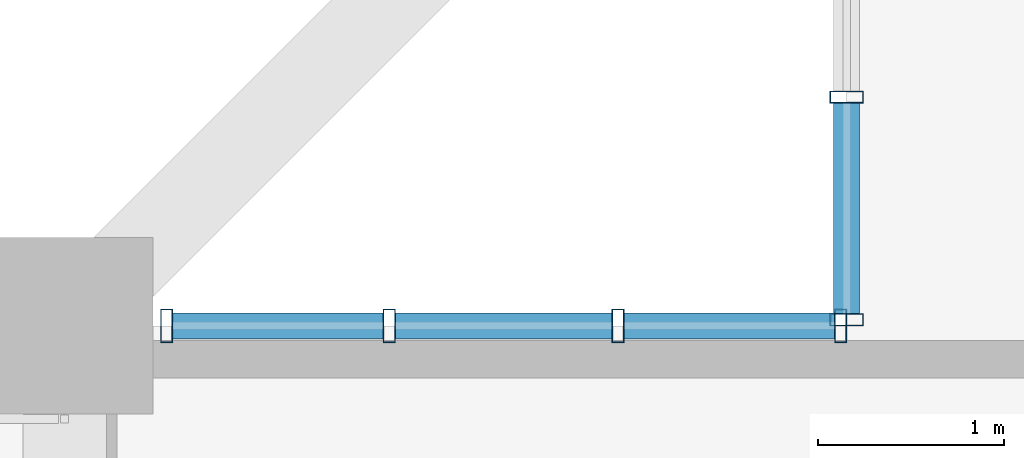
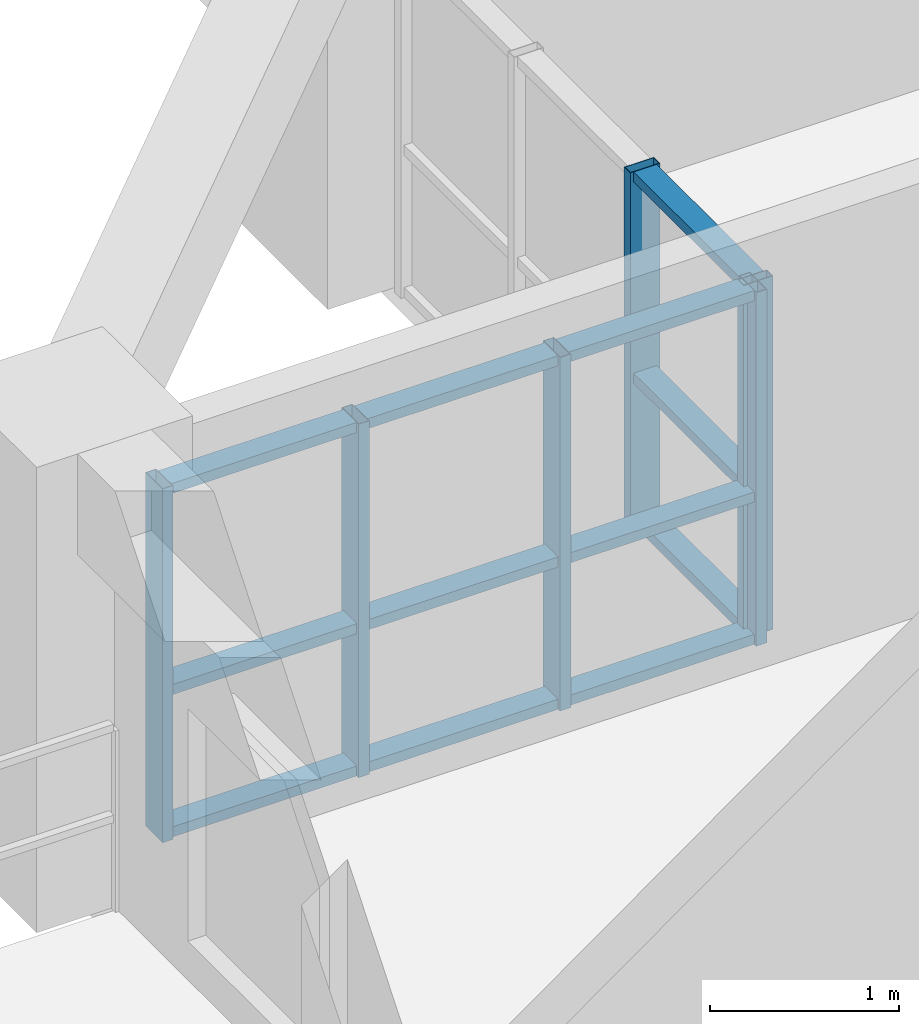
# One storey, part 6 of 26: 18 members, 2 elements without a shape of their own.
"""IFC4 building model written with IfcOpenShell, lengths in metres."""

from ifc_helpers import new_model, si_unit, direction, frame, origin, origin_2d, place, context, subcontext, project, spatial, hollow_rectangle, extrude, source, transform, mapped, material, layer, layer_set, material_profile, profile_set, type_object, element, aggregate, save


model = new_model("IFC4")

# Units and contexts
model_context = context("Model", 3, precision=1e-05, world=origin(), true_north=direction((0.0, 1.0)))
body_context = subcontext(model_context, "Body", "Model", "MODEL_VIEW")
ifc_project = project(units=[si_unit("LENGTHUNIT", "METRE"), si_unit("AREAUNIT", "SQUARE_METRE"), si_unit("VOLUMEUNIT", "CUBIC_METRE"), si_unit("PLANEANGLEUNIT", "RADIAN"), si_unit("MASSUNIT", "GRAM", prefix="KILO")], contexts=[model_context])

# Site, building, storey
site_placement = place(None, origin())
site = spatial("IfcSite", under=ifc_project, at=site_placement, CompositionType="ELEMENT")
building_placement = place(site_placement, origin())
building = spatial("IfcBuilding", under=site, at=building_placement, Name="Saelheon Loggia Tower", CompositionType="ELEMENT")
storey_placement = place(building_placement, frame((0.0, 0.0, 116.85009765625)))
storey = spatial("IfcBuildingStorey", under=building, at=storey_placement, Name="L37", CompositionType="ELEMENT", Elevation=116.85009765625)

# Curtain wall, members
ifc_material_1 = material(Name="Thermal-Break Aluminium and Triple Low-E Glass", Category="aluminium")
ifc_layer = layer(ifc_material_1, 0.159912109375)
ifc_layer_set = layer_set([ifc_layer], Name="Thermal-Break Aluminium and Triple Low-E Glass")
curtain_wall_type = type_object("IfcCurtainWallType", Name="CW_TowerLoggiaLow", PredefinedType="NOTDEFINED", material=ifc_layer_set)
curtain_wall_1_placement = place(storey_placement, origin())
curtain_wall_1 = element("IfcCurtainWall", 1, at=curtain_wall_1_placement, inside=storey, type_object=curtain_wall_type, Name="L37 Corner Notch Glazing NW1", PredefinedType="NOTDEFINED")
ifc_material_2 = material(Name="Anodised Aluminium 6063-T6", Category="aluminium")
ifc_material_profile_1 = material_profile(ifc_material_2, hollow_rectangle(XDim=0.06494140625, YDim=0.179931640625, WallThickness=0.00390625, at=origin_2d()), Name="RHS-180x65x4")
ifc_profile_set_1 = profile_set([ifc_material_profile_1], Name="Anodised Aluminium 6063-T6")
member_type_1 = type_object("IfcMemberType", Name="CW_TowerLoggiaLow_Mullion", PredefinedType="MULLION", material=ifc_profile_set_1)
shared_shape_1 = source(origin(), body_context, "Body", "SweptSolid", [
    extrude(hollow_rectangle(XDim=0.06494140625, YDim=0.179931640625, WallThickness=0.00390625, at=origin_2d()), origin(), (0.0, 0.0, 1.0), 2.27978515625),
])
member_1_placement = place(storey_placement, frame((16.199951171875, 46.83251953125, 0.0), z_axis=(0.0, 0.0, 1.0), x_axis=(0.0, 1.0, 0.0)))
member_1 = element("IfcMember", 2, at=member_1_placement, type_object=member_type_1, Name="CW3 mullion 1", PredefinedType="MULLION", context=body_context, shape_type="MappedRepresentation", body=[
    mapped(shared_shape_1, transform((0.0, 0.0, 0.0), scale=1.0)),
])
member_2_placement = place(storey_placement, frame((16.199951171875, 48.0283203125, 0.0), z_axis=(0.0, 0.0, 1.0), x_axis=(0.0, 1.0, 0.0)))
member_2 = element("IfcMember", 3, at=member_2_placement, type_object=member_type_1, Name="CW3 mullion 2", PredefinedType="MULLION", context=body_context, shape_type="MappedRepresentation", body=[
    mapped(shared_shape_1, transform((0.0, 0.0, 0.0), scale=1.0)),
])

curtain_wall_2_placement = place(storey_placement, origin())
curtain_wall_2 = element("IfcCurtainWall", 4, at=curtain_wall_2_placement, inside=storey, type_object=curtain_wall_type, Name="L37 Corner Notch Glazing NW2", PredefinedType="NOTDEFINED")
member_3_placement = place(storey_placement, frame((12.547607421875, 46.800048828125, 0.0), z_axis=(0.0, 0.0, 1.0), x_axis=(1.0, 0.0, 0.0)))
member_3 = element("IfcMember", 5, at=member_3_placement, type_object=member_type_1, Name="CW3 mullion 1", PredefinedType="MULLION", context=body_context, shape_type="MappedRepresentation", body=[
    mapped(shared_shape_1, transform((0.0, 0.0, 0.0), scale=1.0)),
])
member_4_placement = place(storey_placement, frame((13.743408203125, 46.800048828125, 0.0), z_axis=(0.0, 0.0, 1.0), x_axis=(1.0, 0.0, 0.0)))
member_4 = element("IfcMember", 6, at=member_4_placement, type_object=member_type_1, Name="CW3 mullion 2", PredefinedType="MULLION", context=body_context, shape_type="MappedRepresentation", body=[
    mapped(shared_shape_1, transform((0.0, 0.0, 0.0), scale=1.0)),
])
member_5_placement = place(storey_placement, frame((14.9716796875, 46.800048828125, 0.0), z_axis=(0.0, 0.0, 1.0), x_axis=(1.0, 0.0, 0.0)))
member_5 = element("IfcMember", 7, at=member_5_placement, type_object=member_type_1, Name="CW3 mullion 3", PredefinedType="MULLION", context=body_context, shape_type="MappedRepresentation", body=[
    mapped(shared_shape_1, transform((0.0, 0.0, 0.0), scale=1.0)),
])
member_6_placement = place(storey_placement, frame((16.16748046875, 46.800048828125, 0.0), z_axis=(0.0, 0.0, 1.0), x_axis=(1.0, 0.0, 0.0)))
member_6 = element("IfcMember", 8, at=member_6_placement, type_object=member_type_1, Name="CW3 mullion 4", PredefinedType="MULLION", context=body_context, shape_type="MappedRepresentation", body=[
    mapped(shared_shape_1, transform((0.0, 0.0, 0.0), scale=1.0)),
])

# Member
ifc_material_profile_2 = material_profile(ifc_material_2, hollow_rectangle(XDim=0.06494140625, YDim=0.139892578125, WallThickness=0.00390625, at=origin_2d()), Name="RHS-140x65x4")
ifc_profile_set_2 = profile_set([ifc_material_profile_2], Name="Anodised Aluminium 6063-T6")
member_type_2 = type_object("IfcMemberType", Name="CW_TowerLoggiaLow_Transom", PredefinedType="USERDEFINED", material=ifc_profile_set_2)
shared_shape_2 = source(origin(), body_context, "Body", "SweptSolid", [
    extrude(hollow_rectangle(XDim=0.06494140625, YDim=0.139892578125, WallThickness=0.00390625, at=origin_2d()), origin(), (0.0, 0.0, 1.0), 1.130859375),
])
member_7_placement = place(storey_placement, frame((16.199951171875, 46.864990234375, 0.032470703125), z_axis=(0.0, 1.0, 0.0), x_axis=(0.0, 0.0, 1.0)))
member_7 = element("IfcMember", 9, at=member_7_placement, type_object=member_type_2, Name="CW3 transom 1.1", ObjectType="TRANSOM", PredefinedType="USERDEFINED", context=body_context, shape_type="MappedRepresentation", body=[
    mapped(shared_shape_2, transform((0.0, 0.0, 0.0), scale=1.0)),
])

member_8_placement = place(storey_placement, frame((16.199951171875, 46.864990234375, 0.949951171875), z_axis=(0.0, 1.0, 0.0), x_axis=(0.0, 0.0, 1.0)))
member_8 = element("IfcMember", 10, at=member_8_placement, type_object=member_type_2, Name="CW3 transom 1.2", ObjectType="TRANSOM", PredefinedType="USERDEFINED", context=body_context, shape_type="MappedRepresentation", body=[
    mapped(shared_shape_2, transform((0.0, 0.0, 0.0), scale=1.0)),
])

member_9_placement = place(storey_placement, frame((16.199951171875, 46.864990234375, 2.247314453125), z_axis=(0.0, 1.0, 0.0), x_axis=(0.0, 0.0, 1.0)))
member_9 = element("IfcMember", 11, at=member_9_placement, type_object=member_type_2, Name="CW3 transom 1.3", ObjectType="TRANSOM", PredefinedType="USERDEFINED", context=body_context, shape_type="MappedRepresentation", body=[
    mapped(shared_shape_2, transform((0.0, 0.0, 0.0), scale=1.0)),
])

aggregate(curtain_wall_1, [member_1, member_2, member_7, member_8, member_9])

member_10_placement = place(storey_placement, frame((12.580078125, 46.800048828125, 0.032470703125), z_axis=(1.0, 0.0, 0.0), x_axis=(0.0, 0.0, 1.0)))
member_10 = element("IfcMember", 12, at=member_10_placement, type_object=member_type_2, Name="CW3 transom 1.1", ObjectType="TRANSOM", PredefinedType="USERDEFINED", context=body_context, shape_type="MappedRepresentation", body=[
    mapped(shared_shape_2, transform((0.0, 0.0, 0.0), scale=1.0)),
])

member_11_placement = place(storey_placement, frame((12.580078125, 46.800048828125, 0.949951171875), z_axis=(1.0, 0.0, 0.0), x_axis=(0.0, 0.0, 1.0)))
member_11 = element("IfcMember", 13, at=member_11_placement, type_object=member_type_2, Name="CW3 transom 1.2", ObjectType="TRANSOM", PredefinedType="USERDEFINED", context=body_context, shape_type="MappedRepresentation", body=[
    mapped(shared_shape_2, transform((0.0, 0.0, 0.0), scale=1.0)),
])

member_12_placement = place(storey_placement, frame((12.580078125, 46.800048828125, 2.247314453125), z_axis=(1.0, 0.0, 0.0), x_axis=(0.0, 0.0, 1.0)))
member_12 = element("IfcMember", 14, at=member_12_placement, type_object=member_type_2, Name="CW3 transom 1.3", ObjectType="TRANSOM", PredefinedType="USERDEFINED", context=body_context, shape_type="MappedRepresentation", body=[
    mapped(shared_shape_2, transform((0.0, 0.0, 0.0), scale=1.0)),
])

member_13_placement = place(storey_placement, frame((15.004150390625, 46.800048828125, 0.032470703125), z_axis=(1.0, 0.0, 0.0), x_axis=(0.0, 0.0, 1.0)))
member_13 = element("IfcMember", 15, at=member_13_placement, type_object=member_type_2, Name="CW3 transom 3.1", ObjectType="TRANSOM", PredefinedType="USERDEFINED", context=body_context, shape_type="MappedRepresentation", body=[
    mapped(shared_shape_2, transform((0.0, 0.0, 0.0), scale=1.0)),
])

member_14_placement = place(storey_placement, frame((15.004150390625, 46.800048828125, 0.949951171875), z_axis=(1.0, 0.0, 0.0), x_axis=(0.0, 0.0, 1.0)))
member_14 = element("IfcMember", 16, at=member_14_placement, type_object=member_type_2, Name="CW3 transom 3.2", ObjectType="TRANSOM", PredefinedType="USERDEFINED", context=body_context, shape_type="MappedRepresentation", body=[
    mapped(shared_shape_2, transform((0.0, 0.0, 0.0), scale=1.0)),
])

member_15_placement = place(storey_placement, frame((15.004150390625, 46.800048828125, 2.247314453125), z_axis=(1.0, 0.0, 0.0), x_axis=(0.0, 0.0, 1.0)))
member_15 = element("IfcMember", 17, at=member_15_placement, type_object=member_type_2, Name="CW3 transom 3.3", ObjectType="TRANSOM", PredefinedType="USERDEFINED", context=body_context, shape_type="MappedRepresentation", body=[
    mapped(shared_shape_2, transform((0.0, 0.0, 0.0), scale=1.0)),
])

shared_shape_3 = source(origin(), body_context, "Body", "SweptSolid", [
    extrude(hollow_rectangle(XDim=0.06494140625, YDim=0.139892578125, WallThickness=0.00390625, at=origin_2d()), origin(), (0.0, 0.0, 1.0), 1.163330078125),
])
member_16_placement = place(storey_placement, frame((13.77587890625, 46.800048828125, 0.032470703125), z_axis=(1.0, 0.0, 0.0), x_axis=(0.0, 0.0, 1.0)))
member_16 = element("IfcMember", 18, at=member_16_placement, type_object=member_type_2, Name="CW3 transom 2.1", ObjectType="TRANSOM", PredefinedType="USERDEFINED", context=body_context, shape_type="MappedRepresentation", body=[
    mapped(shared_shape_3, transform((0.0, 0.0, 0.0), scale=1.0)),
])

member_17_placement = place(storey_placement, frame((13.77587890625, 46.800048828125, 0.949951171875), z_axis=(1.0, 0.0, 0.0), x_axis=(0.0, 0.0, 1.0)))
member_17 = element("IfcMember", 19, at=member_17_placement, type_object=member_type_2, Name="CW3 transom 2.2", ObjectType="TRANSOM", PredefinedType="USERDEFINED", context=body_context, shape_type="MappedRepresentation", body=[
    mapped(shared_shape_3, transform((0.0, 0.0, 0.0), scale=1.0)),
])

member_18_placement = place(storey_placement, frame((13.77587890625, 46.800048828125, 2.247314453125), z_axis=(1.0, 0.0, 0.0), x_axis=(0.0, 0.0, 1.0)))
member_18 = element("IfcMember", 20, at=member_18_placement, type_object=member_type_2, Name="CW3 transom 2.3", ObjectType="TRANSOM", PredefinedType="USERDEFINED", context=body_context, shape_type="MappedRepresentation", body=[
    mapped(shared_shape_3, transform((0.0, 0.0, 0.0), scale=1.0)),
])

aggregate(curtain_wall_2, [member_3, member_4, member_5, member_6, member_10, member_11, member_12, member_16, member_17, member_18, member_13, member_14, member_15])

save(model, "model.ifc")
